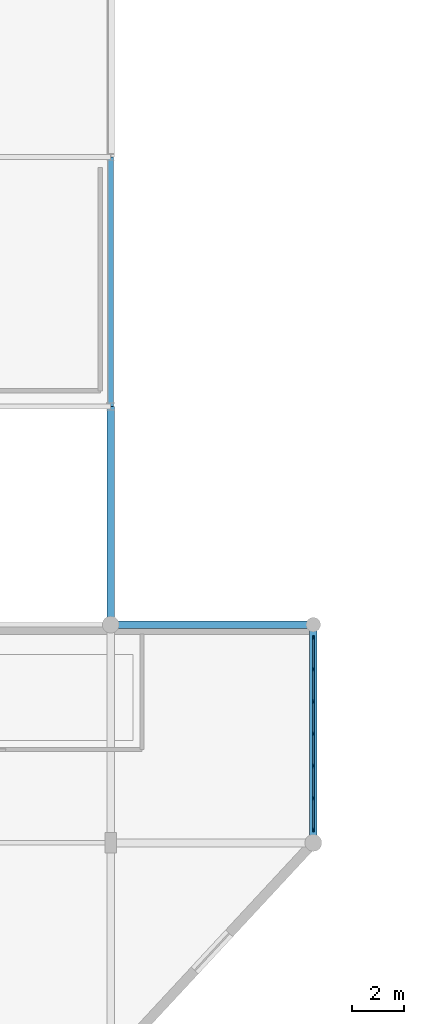
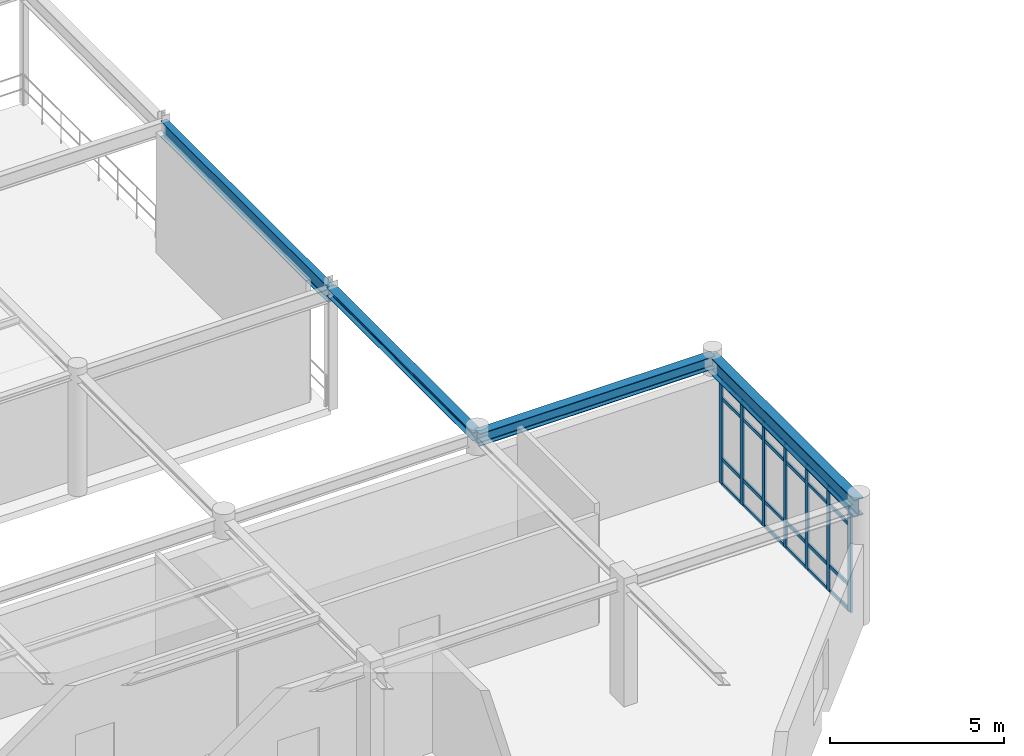
# One storey, part 27 of 106: 31 members, 4 beams, 1 element without a shape of its own.
"""IFC4 building model written with IfcOpenShell, lengths in metres."""

from ifc_helpers import new_model, si_unit, derived_unit, direction, frame, origin, origin_2d, place, context, subcontext, project, spatial, rectangle, i_section, extrude, material, layer, layer_set, material_profile, profile_set, type_object, element, aggregate, save


model = new_model("IFC4")

# Units and contexts
model_context = context("Model", 3, precision=1e-05, world=origin(), true_north=direction((0.0, 1.0)))
body_context = subcontext(model_context, "Body", "Model", "MODEL_VIEW")
ifc_project = project(units=[si_unit("LENGTHUNIT", "METRE"), si_unit("AREAUNIT", "SQUARE_METRE"), si_unit("VOLUMEUNIT", "CUBIC_METRE"), si_unit("PLANEANGLEUNIT", "RADIAN"), si_unit("MASSUNIT", "GRAM", prefix="KILO"), derived_unit("THERMALTRANSMITTANCEUNIT", [(si_unit("POWERUNIT", "WATT"), 1), (si_unit("AREAUNIT", "SQUARE_METRE"), -1), (si_unit("THERMODYNAMICTEMPERATUREUNIT", "KELVIN"), -1)])], contexts=[model_context])

# Site, building, storey
site_placement = place(None, origin())
site = spatial("IfcSite", under=ifc_project, at=site_placement, CompositionType="ELEMENT")
building_placement = place(site_placement, origin())
building = spatial("IfcBuilding", under=site, at=building_placement, Name="Yasenodar Specialist Clinic", CompositionType="ELEMENT")
storey_placement = place(building_placement, frame((0.0, 0.0, 4.5)))
storey = spatial("IfcBuildingStorey", under=building, at=storey_placement, Name="L01", CompositionType="ELEMENT", Elevation=4.5)

# Beams
ifc_material_1 = material(Name="Steel S355", Category="steel")
ifc_material_profile_1 = material_profile(ifc_material_1, i_section(OverallWidth=0.300048828125, OverallDepth=0.2900390625, WebThickness=0.008544921875, FlangeThickness=0.013916015625, FilletRadius=0.027099609375, at=origin_2d()), Name="HEA 300")
ifc_profile_set_1 = profile_set([ifc_material_profile_1], Name="Steel S355")
beam_type_1 = type_object("IfcBeamType", Name="BM-HEA300", PredefinedType="BEAM", material=ifc_profile_set_1)
beam_1_placement = place(storey_placement, frame((33.60009765625, 16.800048828125, 4.10498046875), z_axis=(0.0, 1.0, 0.0), x_axis=(-1.0, 0.0, 0.0)))
element("IfcBeam", 1, at=beam_1_placement, inside=storey, type_object=beam_type_1, Name="L01 Primary N-S Girder", PredefinedType="BEAM", context=body_context, shape_type="SweptSolid", body=[
    extrude(i_section(OverallWidth=0.300048828125, OverallDepth=0.2900390625, WebThickness=0.008544921875, FlangeThickness=0.013916015625, FilletRadius=0.027099609375, at=origin_2d()), origin(), (0.0, 0.0, 1.0), 8.39990234375),
])
ifc_material_profile_2 = material_profile(ifc_material_1, i_section(OverallWidth=0.300048828125, OverallDepth=0.43994140625, WebThickness=0.011474609375, FlangeThickness=0.02099609375, FilletRadius=0.027099609375, at=origin_2d()), Name="HEA 450")
ifc_profile_set_2 = profile_set([ifc_material_profile_2], Name="Steel S355")
beam_type_2 = type_object("IfcBeamType", Name="BM-HEA450", PredefinedType="BEAM", material=ifc_profile_set_2)
beam_2_placement = place(storey_placement, frame((33.60009765625, 16.800048828125, 4.030029296875), z_axis=(1.0, 0.0, 0.0), x_axis=(0.0, 1.0, 0.0)))
element("IfcBeam", 2, at=beam_2_placement, inside=storey, type_object=beam_type_2, Name="L01 Primary E-W Girder", PredefinedType="BEAM", context=body_context, shape_type="SweptSolid", body=[
    extrude(i_section(OverallWidth=0.300048828125, OverallDepth=0.43994140625, WebThickness=0.011474609375, FlangeThickness=0.02099609375, FilletRadius=0.027099609375, at=origin_2d()), origin(), (0.0, 0.0, 1.0), 7.7998046875),
])
ifc_material_profile_3 = material_profile(ifc_material_1, i_section(OverallWidth=0.300048828125, OverallDepth=0.60009765625, WebThickness=0.015380859375, FlangeThickness=0.030029296875, FilletRadius=0.027099609375, at=origin_2d()), Name="HEB 600")
ifc_profile_set_3 = profile_set([ifc_material_profile_3], Name="Steel S355")
beam_type_3 = type_object("IfcBeamType", Name="BM-HEB600", PredefinedType="BEAM", material=ifc_profile_set_3)
beam_3_placement = place(storey_placement, frame((41.39990234375, 8.39990234375, 3.949951171875), z_axis=(0.0, 1.0, 0.0), x_axis=(-1.0, 0.0, 0.0)))
element("IfcBeam", 3, at=beam_3_placement, inside=storey, type_object=beam_type_3, Name="L01 Primary N-S Girder", PredefinedType="BEAM", context=body_context, shape_type="SweptSolid", body=[
    extrude(i_section(OverallWidth=0.300048828125, OverallDepth=0.60009765625, WebThickness=0.015380859375, FlangeThickness=0.030029296875, FilletRadius=0.027099609375, at=origin_2d()), origin(), (0.0, 0.0, 1.0), 8.400146484375),
])
ifc_material_profile_4 = material_profile(ifc_material_1, i_section(OverallWidth=0.2099609375, OverallDepth=0.550048828125, WebThickness=0.010986328125, FlangeThickness=0.01708984375, FilletRadius=0.02392578125, at=origin_2d()), Name="IPE 550")
ifc_profile_set_4 = profile_set([ifc_material_profile_4], Name="Steel S355")
beam_type_4 = type_object("IfcBeamType", Name="BM-IPE550", PredefinedType="BEAM", material=ifc_profile_set_4)
beam_4_placement = place(storey_placement, frame((33.60009765625, 25.199951171875, 3.97509765625), z_axis=(0.0, 1.0, 0.0), x_axis=(-1.0, 0.0, 0.0)))
element("IfcBeam", 4, at=beam_4_placement, inside=storey, type_object=beam_type_4, Name="L01 Primary N-S Girder", PredefinedType="BEAM", context=body_context, shape_type="SweptSolid", body=[
    extrude(i_section(OverallWidth=0.2099609375, OverallDepth=0.550048828125, WebThickness=0.010986328125, FlangeThickness=0.01708984375, FilletRadius=0.02392578125, at=origin_2d()), origin(), (0.0, 0.0, 1.0), 9.60009765625),
])

# Curtain wall, members
ifc_material_2 = material(Name="Bronze Anodized Aluminium and Triple Low-E Glass", Category="aluminium")
ifc_layer = layer(ifc_material_2, 0.202880859375)
ifc_layer_set = layer_set([ifc_layer], Name="Bronze Anodized Aluminium and Triple Low-E Glass")
curtain_wall_type = type_object("IfcCurtainWallType", Name="CW-SYS-04", PredefinedType="USERDEFINED", material=ifc_layer_set)
curtain_wall_placement = place(storey_placement, origin())
curtain_wall = element("IfcCurtainWall", 5, at=curtain_wall_placement, inside=storey, type_object=curtain_wall_type, Name="L01 Unitised Curtain Wall 074", ObjectType="UNITISED CURTAIN WALL", PredefinedType="USERDEFINED")
ifc_material_3 = material(Name="Bronze Anodized Aluminium", Category="aluminium")
ifc_material_profile_5 = material_profile(ifc_material_3, rectangle(XDim=0.06005859375, YDim=0.159912109375, at=origin_2d()), Name="CW-MULL 60x160")
ifc_profile_set_5 = profile_set([ifc_material_profile_5], Name="Bronze Anodized Aluminium")
member_type_1 = type_object("IfcMemberType", Name="CW-MULL-160", PredefinedType="MULLION", material=ifc_profile_set_5)
member_1_placement = place(storey_placement, frame((41.39990234375, 16.2900390625, 0.0), z_axis=(0.0, 0.0, 1.0), x_axis=(1.0, 0.0, 0.0)))
member_1 = element("IfcMember", 6, at=member_1_placement, type_object=member_type_1, Name="CW-04 mullion 1", PredefinedType="MULLION", context=body_context, shape_type="SweptSolid", body=[
    extrude(rectangle(XDim=0.06005859375, YDim=0.159912109375, at=origin_2d()), origin(), (0.0, 0.0, 1.0), 3.6279296875),
])
member_2_placement = place(storey_placement, frame((41.39990234375, 15.080078125, 0.0), z_axis=(0.0, 0.0, 1.0), x_axis=(1.0, 0.0, 0.0)))
member_2 = element("IfcMember", 7, at=member_2_placement, type_object=member_type_1, Name="CW-04 mullion 2", PredefinedType="MULLION", context=body_context, shape_type="SweptSolid", body=[
    extrude(rectangle(XDim=0.06005859375, YDim=0.159912109375, at=origin_2d()), origin(), (0.0, 0.0, 1.0), 3.6279296875),
])
member_3_placement = place(storey_placement, frame((41.39990234375, 13.840087890625, 0.0), z_axis=(0.0, 0.0, 1.0), x_axis=(1.0, 0.0, 0.0)))
member_3 = element("IfcMember", 8, at=member_3_placement, type_object=member_type_1, Name="CW-04 mullion 3", PredefinedType="MULLION", context=body_context, shape_type="SweptSolid", body=[
    extrude(rectangle(XDim=0.06005859375, YDim=0.159912109375, at=origin_2d()), origin(), (0.0, 0.0, 1.0), 3.6279296875),
])
member_4_placement = place(storey_placement, frame((41.39990234375, 12.60009765625, 0.0), z_axis=(0.0, 0.0, 1.0), x_axis=(1.0, 0.0, 0.0)))
member_4 = element("IfcMember", 9, at=member_4_placement, type_object=member_type_1, Name="CW-04 mullion 4", PredefinedType="MULLION", context=body_context, shape_type="SweptSolid", body=[
    extrude(rectangle(XDim=0.06005859375, YDim=0.159912109375, at=origin_2d()), origin(), (0.0, 0.0, 1.0), 3.6279296875),
])
member_5_placement = place(storey_placement, frame((41.39990234375, 11.360107421875, 0.0), z_axis=(0.0, 0.0, 1.0), x_axis=(1.0, 0.0, 0.0)))
member_5 = element("IfcMember", 10, at=member_5_placement, type_object=member_type_1, Name="CW-04 mullion 5", PredefinedType="MULLION", context=body_context, shape_type="SweptSolid", body=[
    extrude(rectangle(XDim=0.06005859375, YDim=0.159912109375, at=origin_2d()), origin(), (0.0, 0.0, 1.0), 3.6279296875),
])
member_6_placement = place(storey_placement, frame((41.39990234375, 10.1201171875, 0.0), z_axis=(0.0, 0.0, 1.0), x_axis=(1.0, 0.0, 0.0)))
member_6 = element("IfcMember", 11, at=member_6_placement, type_object=member_type_1, Name="CW-04 mullion 6", PredefinedType="MULLION", context=body_context, shape_type="SweptSolid", body=[
    extrude(rectangle(XDim=0.06005859375, YDim=0.159912109375, at=origin_2d()), origin(), (0.0, 0.0, 1.0), 3.6279296875),
])
member_7_placement = place(storey_placement, frame((41.39990234375, 8.909912109375, 0.0), z_axis=(0.0, 0.0, 1.0), x_axis=(1.0, 0.0, 0.0)))
member_7 = element("IfcMember", 12, at=member_7_placement, type_object=member_type_1, Name="CW-04 mullion 7", PredefinedType="MULLION", context=body_context, shape_type="SweptSolid", body=[
    extrude(rectangle(XDim=0.06005859375, YDim=0.159912109375, at=origin_2d()), origin(), (0.0, 0.0, 1.0), 3.6279296875),
])
ifc_material_profile_6 = material_profile(ifc_material_3, rectangle(XDim=0.06005859375, YDim=0.1201171875, at=origin_2d()), Name="CW-TRAN 60x120")
ifc_profile_set_6 = profile_set([ifc_material_profile_6], Name="Bronze Anodized Aluminium")
member_type_2 = type_object("IfcMemberType", Name="CW-TRAN-120", PredefinedType="USERDEFINED", material=ifc_profile_set_6)
member_8_placement = place(storey_placement, frame((41.39990234375, 16.260009765625, 0.030029296875), z_axis=(0.0, -1.0, 0.0), x_axis=(1.0, 0.0, 0.0)))
member_8 = element("IfcMember", 13, at=member_8_placement, type_object=member_type_2, Name="CW-04 transom 1.1", ObjectType="TRANSOM", PredefinedType="USERDEFINED", context=body_context, shape_type="SweptSolid", body=[
    extrude(rectangle(XDim=0.06005859375, YDim=0.1201171875, at=origin_2d()), origin(), (0.0, 0.0, 1.0), 1.14990234375),
])
member_9_placement = place(storey_placement, frame((41.39990234375, 16.260009765625, 0.89990234375), z_axis=(0.0, -1.0, 0.0), x_axis=(1.0, 0.0, 0.0)))
member_9 = element("IfcMember", 14, at=member_9_placement, type_object=member_type_2, Name="CW-04 transom 1.2", ObjectType="TRANSOM", PredefinedType="USERDEFINED", context=body_context, shape_type="SweptSolid", body=[
    extrude(rectangle(XDim=0.06005859375, YDim=0.1201171875, at=origin_2d()), origin(), (0.0, 0.0, 1.0), 1.14990234375),
])
member_10_placement = place(storey_placement, frame((41.39990234375, 16.260009765625, 3.028076171875), z_axis=(0.0, -1.0, 0.0), x_axis=(1.0, 0.0, 0.0)))
member_10 = element("IfcMember", 15, at=member_10_placement, type_object=member_type_2, Name="CW-04 transom 1.3", ObjectType="TRANSOM", PredefinedType="USERDEFINED", context=body_context, shape_type="SweptSolid", body=[
    extrude(rectangle(XDim=0.06005859375, YDim=0.1201171875, at=origin_2d()), origin(), (0.0, 0.0, 1.0), 1.14990234375),
])
member_11_placement = place(storey_placement, frame((41.39990234375, 16.260009765625, 3.597900390625), z_axis=(0.0, -1.0, 0.0), x_axis=(1.0, 0.0, 0.0)))
member_11 = element("IfcMember", 16, at=member_11_placement, type_object=member_type_2, Name="CW-04 transom 1.4", ObjectType="TRANSOM", PredefinedType="USERDEFINED", context=body_context, shape_type="SweptSolid", body=[
    extrude(rectangle(XDim=0.06005859375, YDim=0.1201171875, at=origin_2d()), origin(), (0.0, 0.0, 1.0), 1.14990234375),
])
member_12_placement = place(storey_placement, frame((41.39990234375, 15.050048828125, 0.030029296875), z_axis=(0.0, -1.0, 0.0), x_axis=(1.0, 0.0, 0.0)))
member_12 = element("IfcMember", 17, at=member_12_placement, type_object=member_type_2, Name="CW-04 transom 2.1", ObjectType="TRANSOM", PredefinedType="USERDEFINED", context=body_context, shape_type="SweptSolid", body=[
    extrude(rectangle(XDim=0.06005859375, YDim=0.1201171875, at=origin_2d()), origin(), (0.0, 0.0, 1.0), 1.179931640625),
])
member_13_placement = place(storey_placement, frame((41.39990234375, 15.050048828125, 0.89990234375), z_axis=(0.0, -1.0, 0.0), x_axis=(1.0, 0.0, 0.0)))
member_13 = element("IfcMember", 18, at=member_13_placement, type_object=member_type_2, Name="CW-04 transom 2.2", ObjectType="TRANSOM", PredefinedType="USERDEFINED", context=body_context, shape_type="SweptSolid", body=[
    extrude(rectangle(XDim=0.06005859375, YDim=0.1201171875, at=origin_2d()), origin(), (0.0, 0.0, 1.0), 1.179931640625),
])
member_14_placement = place(storey_placement, frame((41.39990234375, 15.050048828125, 3.028076171875), z_axis=(0.0, -1.0, 0.0), x_axis=(1.0, 0.0, 0.0)))
member_14 = element("IfcMember", 19, at=member_14_placement, type_object=member_type_2, Name="CW-04 transom 2.3", ObjectType="TRANSOM", PredefinedType="USERDEFINED", context=body_context, shape_type="SweptSolid", body=[
    extrude(rectangle(XDim=0.06005859375, YDim=0.1201171875, at=origin_2d()), origin(), (0.0, 0.0, 1.0), 1.179931640625),
])
member_15_placement = place(storey_placement, frame((41.39990234375, 15.050048828125, 3.597900390625), z_axis=(0.0, -1.0, 0.0), x_axis=(1.0, 0.0, 0.0)))
member_15 = element("IfcMember", 20, at=member_15_placement, type_object=member_type_2, Name="CW-04 transom 2.4", ObjectType="TRANSOM", PredefinedType="USERDEFINED", context=body_context, shape_type="SweptSolid", body=[
    extrude(rectangle(XDim=0.06005859375, YDim=0.1201171875, at=origin_2d()), origin(), (0.0, 0.0, 1.0), 1.179931640625),
])
member_16_placement = place(storey_placement, frame((41.39990234375, 13.81005859375, 0.030029296875), z_axis=(0.0, -1.0, 0.0), x_axis=(1.0, 0.0, 0.0)))
member_16 = element("IfcMember", 21, at=member_16_placement, type_object=member_type_2, Name="CW-04 transom 3.1", ObjectType="TRANSOM", PredefinedType="USERDEFINED", context=body_context, shape_type="SweptSolid", body=[
    extrude(rectangle(XDim=0.06005859375, YDim=0.1201171875, at=origin_2d()), origin(), (0.0, 0.0, 1.0), 1.18017578125),
])
member_17_placement = place(storey_placement, frame((41.39990234375, 13.81005859375, 0.89990234375), z_axis=(0.0, -1.0, 0.0), x_axis=(1.0, 0.0, 0.0)))
member_17 = element("IfcMember", 22, at=member_17_placement, type_object=member_type_2, Name="CW-04 transom 3.2", ObjectType="TRANSOM", PredefinedType="USERDEFINED", context=body_context, shape_type="SweptSolid", body=[
    extrude(rectangle(XDim=0.06005859375, YDim=0.1201171875, at=origin_2d()), origin(), (0.0, 0.0, 1.0), 1.18017578125),
])
member_18_placement = place(storey_placement, frame((41.39990234375, 13.81005859375, 3.028076171875), z_axis=(0.0, -1.0, 0.0), x_axis=(1.0, 0.0, 0.0)))
member_18 = element("IfcMember", 23, at=member_18_placement, type_object=member_type_2, Name="CW-04 transom 3.3", ObjectType="TRANSOM", PredefinedType="USERDEFINED", context=body_context, shape_type="SweptSolid", body=[
    extrude(rectangle(XDim=0.06005859375, YDim=0.1201171875, at=origin_2d()), origin(), (0.0, 0.0, 1.0), 1.18017578125),
])
member_19_placement = place(storey_placement, frame((41.39990234375, 13.81005859375, 3.597900390625), z_axis=(0.0, -1.0, 0.0), x_axis=(1.0, 0.0, 0.0)))
member_19 = element("IfcMember", 24, at=member_19_placement, type_object=member_type_2, Name="CW-04 transom 3.4", ObjectType="TRANSOM", PredefinedType="USERDEFINED", context=body_context, shape_type="SweptSolid", body=[
    extrude(rectangle(XDim=0.06005859375, YDim=0.1201171875, at=origin_2d()), origin(), (0.0, 0.0, 1.0), 1.18017578125),
])
member_20_placement = place(storey_placement, frame((41.39990234375, 12.570068359375, 0.030029296875), z_axis=(0.0, -1.0, 0.0), x_axis=(1.0, 0.0, 0.0)))
member_20 = element("IfcMember", 25, at=member_20_placement, type_object=member_type_2, Name="CW-04 transom 4.1", ObjectType="TRANSOM", PredefinedType="USERDEFINED", context=body_context, shape_type="SweptSolid", body=[
    extrude(rectangle(XDim=0.06005859375, YDim=0.1201171875, at=origin_2d()), origin(), (0.0, 0.0, 1.0), 1.18017578125),
])
member_21_placement = place(storey_placement, frame((41.39990234375, 12.570068359375, 0.89990234375), z_axis=(0.0, -1.0, 0.0), x_axis=(1.0, 0.0, 0.0)))
member_21 = element("IfcMember", 26, at=member_21_placement, type_object=member_type_2, Name="CW-04 transom 4.2", ObjectType="TRANSOM", PredefinedType="USERDEFINED", context=body_context, shape_type="SweptSolid", body=[
    extrude(rectangle(XDim=0.06005859375, YDim=0.1201171875, at=origin_2d()), origin(), (0.0, 0.0, 1.0), 1.18017578125),
])
member_22_placement = place(storey_placement, frame((41.39990234375, 12.570068359375, 3.028076171875), z_axis=(0.0, -1.0, 0.0), x_axis=(1.0, 0.0, 0.0)))
member_22 = element("IfcMember", 27, at=member_22_placement, type_object=member_type_2, Name="CW-04 transom 4.3", ObjectType="TRANSOM", PredefinedType="USERDEFINED", context=body_context, shape_type="SweptSolid", body=[
    extrude(rectangle(XDim=0.06005859375, YDim=0.1201171875, at=origin_2d()), origin(), (0.0, 0.0, 1.0), 1.18017578125),
])
member_23_placement = place(storey_placement, frame((41.39990234375, 12.570068359375, 3.597900390625), z_axis=(0.0, -1.0, 0.0), x_axis=(1.0, 0.0, 0.0)))
member_23 = element("IfcMember", 28, at=member_23_placement, type_object=member_type_2, Name="CW-04 transom 4.4", ObjectType="TRANSOM", PredefinedType="USERDEFINED", context=body_context, shape_type="SweptSolid", body=[
    extrude(rectangle(XDim=0.06005859375, YDim=0.1201171875, at=origin_2d()), origin(), (0.0, 0.0, 1.0), 1.18017578125),
])
member_24_placement = place(storey_placement, frame((41.39990234375, 11.330078125, 0.030029296875), z_axis=(0.0, -1.0, 0.0), x_axis=(1.0, 0.0, 0.0)))
member_24 = element("IfcMember", 29, at=member_24_placement, type_object=member_type_2, Name="CW-04 transom 5.1", ObjectType="TRANSOM", PredefinedType="USERDEFINED", context=body_context, shape_type="SweptSolid", body=[
    extrude(rectangle(XDim=0.06005859375, YDim=0.1201171875, at=origin_2d()), origin(), (0.0, 0.0, 1.0), 1.18017578125),
])
member_25_placement = place(storey_placement, frame((41.39990234375, 11.330078125, 0.89990234375), z_axis=(0.0, -1.0, 0.0), x_axis=(1.0, 0.0, 0.0)))
member_25 = element("IfcMember", 30, at=member_25_placement, type_object=member_type_2, Name="CW-04 transom 5.2", ObjectType="TRANSOM", PredefinedType="USERDEFINED", context=body_context, shape_type="SweptSolid", body=[
    extrude(rectangle(XDim=0.06005859375, YDim=0.1201171875, at=origin_2d()), origin(), (0.0, 0.0, 1.0), 1.18017578125),
])
member_26_placement = place(storey_placement, frame((41.39990234375, 11.330078125, 3.028076171875), z_axis=(0.0, -1.0, 0.0), x_axis=(1.0, 0.0, 0.0)))
member_26 = element("IfcMember", 31, at=member_26_placement, type_object=member_type_2, Name="CW-04 transom 5.3", ObjectType="TRANSOM", PredefinedType="USERDEFINED", context=body_context, shape_type="SweptSolid", body=[
    extrude(rectangle(XDim=0.06005859375, YDim=0.1201171875, at=origin_2d()), origin(), (0.0, 0.0, 1.0), 1.18017578125),
])
member_27_placement = place(storey_placement, frame((41.39990234375, 11.330078125, 3.597900390625), z_axis=(0.0, -1.0, 0.0), x_axis=(1.0, 0.0, 0.0)))
member_27 = element("IfcMember", 32, at=member_27_placement, type_object=member_type_2, Name="CW-04 transom 5.4", ObjectType="TRANSOM", PredefinedType="USERDEFINED", context=body_context, shape_type="SweptSolid", body=[
    extrude(rectangle(XDim=0.06005859375, YDim=0.1201171875, at=origin_2d()), origin(), (0.0, 0.0, 1.0), 1.18017578125),
])
member_28_placement = place(storey_placement, frame((41.39990234375, 10.090087890625, 0.030029296875), z_axis=(0.0, -1.0, 0.0), x_axis=(1.0, 0.0, 0.0)))
member_28 = element("IfcMember", 33, at=member_28_placement, type_object=member_type_2, Name="CW-04 transom 6.1", ObjectType="TRANSOM", PredefinedType="USERDEFINED", context=body_context, shape_type="SweptSolid", body=[
    extrude(rectangle(XDim=0.06005859375, YDim=0.1201171875, at=origin_2d()), origin(), (0.0, 0.0, 1.0), 1.150146484375),
])
member_29_placement = place(storey_placement, frame((41.39990234375, 10.090087890625, 0.89990234375), z_axis=(0.0, -1.0, 0.0), x_axis=(1.0, 0.0, 0.0)))
member_29 = element("IfcMember", 34, at=member_29_placement, type_object=member_type_2, Name="CW-04 transom 6.2", ObjectType="TRANSOM", PredefinedType="USERDEFINED", context=body_context, shape_type="SweptSolid", body=[
    extrude(rectangle(XDim=0.06005859375, YDim=0.1201171875, at=origin_2d()), origin(), (0.0, 0.0, 1.0), 1.150146484375),
])
member_30_placement = place(storey_placement, frame((41.39990234375, 10.090087890625, 3.028076171875), z_axis=(0.0, -1.0, 0.0), x_axis=(1.0, 0.0, 0.0)))
member_30 = element("IfcMember", 35, at=member_30_placement, type_object=member_type_2, Name="CW-04 transom 6.3", ObjectType="TRANSOM", PredefinedType="USERDEFINED", context=body_context, shape_type="SweptSolid", body=[
    extrude(rectangle(XDim=0.06005859375, YDim=0.1201171875, at=origin_2d()), origin(), (0.0, 0.0, 1.0), 1.150146484375),
])
member_31_placement = place(storey_placement, frame((41.39990234375, 10.090087890625, 3.597900390625), z_axis=(0.0, -1.0, 0.0), x_axis=(1.0, 0.0, 0.0)))
member_31 = element("IfcMember", 36, at=member_31_placement, type_object=member_type_2, Name="CW-04 transom 6.4", ObjectType="TRANSOM", PredefinedType="USERDEFINED", context=body_context, shape_type="SweptSolid", body=[
    extrude(rectangle(XDim=0.06005859375, YDim=0.1201171875, at=origin_2d()), origin(), (0.0, 0.0, 1.0), 1.150146484375),
])
aggregate(curtain_wall, [member_1, member_2, member_3, member_4, member_5, member_6, member_7, member_8, member_9, member_10, member_11, member_12, member_13, member_14, member_15, member_16, member_17, member_18, member_19, member_20, member_21, member_22, member_23, member_24, member_25, member_26, member_27, member_28, member_29, member_30, member_31])

save(model, "model.ifc")
